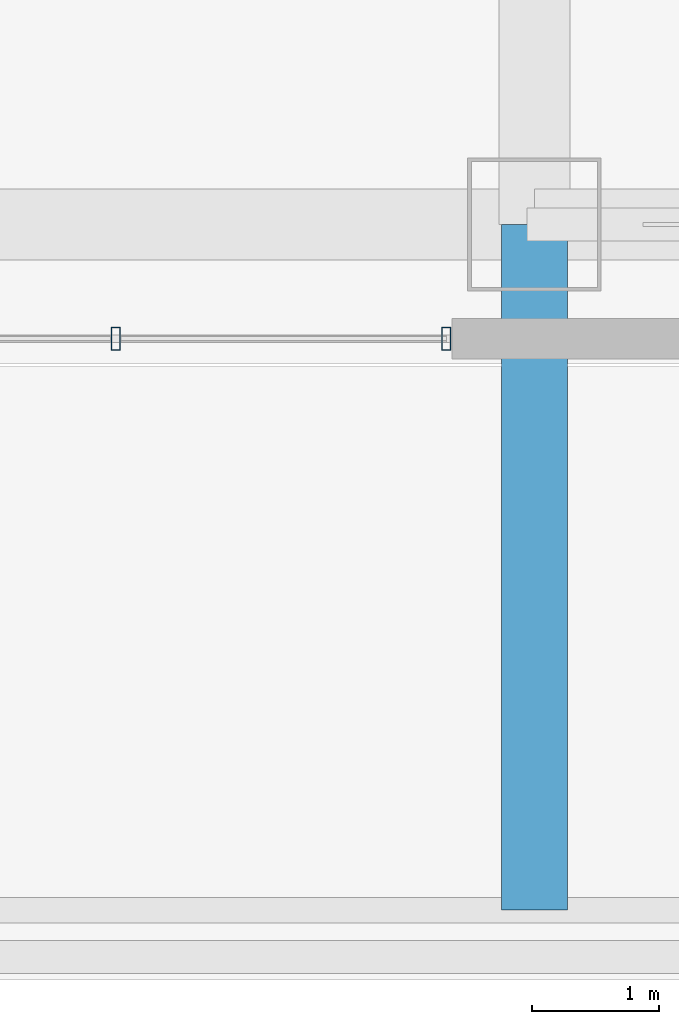
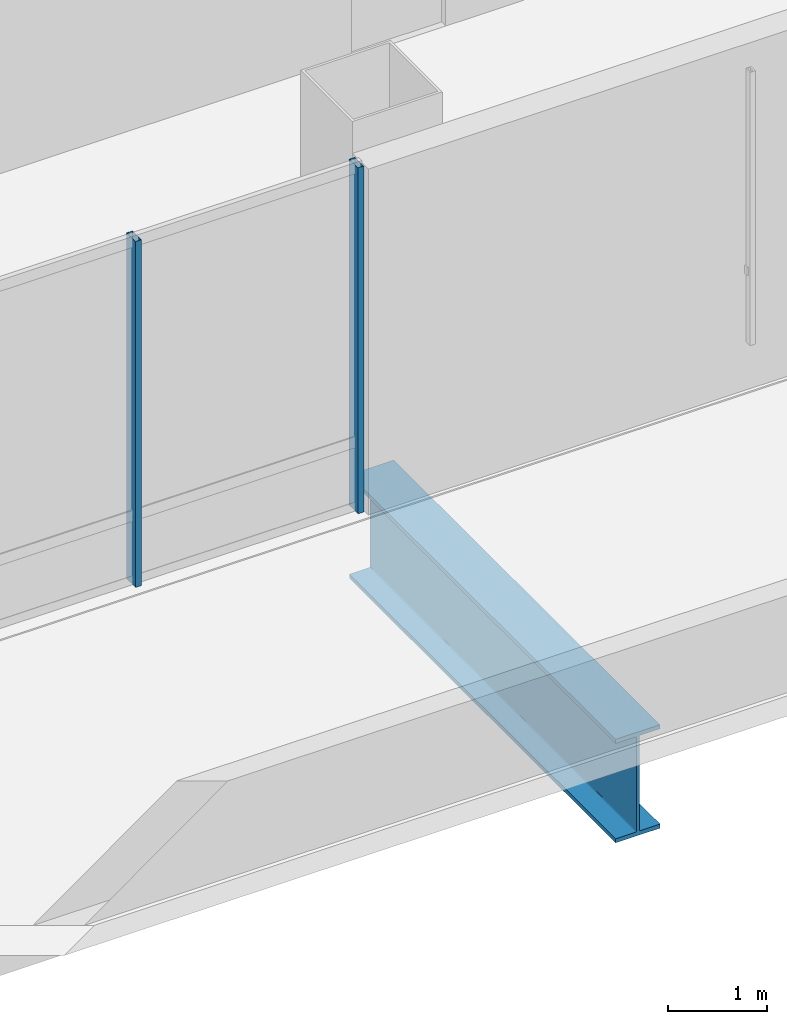
# One storey, part 5 of 33: 2 members, 1 beam, 1 element without a shape of its own.
"""IFC4 building model written with IfcOpenShell, lengths in metres."""

from ifc_helpers import new_model, si_unit, direction, frame, origin, origin_2d, place, context, subcontext, project, spatial, hollow_rectangle, i_section, extrude, material, material_profile, profile_set, type_object, element, aggregate, save


model = new_model("IFC4")

# Units and contexts
model_context = context("Model", 3, precision=1e-05, world=origin(), true_north=direction((0.0, 1.0)))
body_context = subcontext(model_context, "Body", "Model", "MODEL_VIEW")
ifc_project = project(units=[si_unit("LENGTHUNIT", "METRE"), si_unit("AREAUNIT", "SQUARE_METRE"), si_unit("VOLUMEUNIT", "CUBIC_METRE"), si_unit("PLANEANGLEUNIT", "RADIAN"), si_unit("MASSUNIT", "GRAM", prefix="KILO")], contexts=[model_context])

# Site, building, storey
site_placement = place(None, origin())
site = spatial("IfcSite", under=ifc_project, at=site_placement, CompositionType="ELEMENT")
building_placement = place(site_placement, origin())
building = spatial("IfcBuilding", under=site, at=building_placement, Name="Punatoya Terracotta Tower", CompositionType="ELEMENT")
storey_placement = place(building_placement, frame((0.0, 0.0, 343.800048828125)))
storey = spatial("IfcBuildingStorey", under=building, at=storey_placement, Name="L81", CompositionType="ELEMENT", Elevation=343.800048828125)

# Beam
ifc_material_1 = material(Name="Steel S460", Category="steel")
ifc_material_profile_1 = material_profile(ifc_material_1, i_section(OverallWidth=0.52001953125, OverallDepth=1.280029296875, WebThickness=0.031982421875, FlangeThickness=0.050048828125, FilletRadius=0.01806640625, at=origin_2d()))
ifc_profile_set_1 = profile_set([ifc_material_profile_1], Name="Steel S460")
beam_type = type_object("IfcBeamType", Name="BM-TG-NCK", PredefinedType="BEAM", material=ifc_profile_set_1)
beam_placement = place(storey_placement, frame((-3.800048828125, -22.89990234375, -0.920166015625), z_axis=(0.0, 1.0, 0.0), x_axis=(-1.0, 0.0, 0.0)))
element("IfcBeam", 1, at=beam_placement, inside=storey, type_object=beam_type, Name="BM-L81-CS1", PredefinedType="BEAM", context=body_context, shape_type="SweptSolid", body=[
    extrude(i_section(OverallWidth=0.52001953125, OverallDepth=1.280029296875, WebThickness=0.031982421875, FlangeThickness=0.050048828125, FilletRadius=0.01806640625, at=origin_2d()), origin(), (0.0, 0.0, 1.0), 5.39990234375),
])

# Curtain wall, members
ifc_material_2 = material(Name="Aluminium 6063-T6 + Double Low-E Glass", Category="aluminium")
curtain_wall_type = type_object("IfcCurtainWallType", Name="CW-CRN", PredefinedType="NOTDEFINED", material=ifc_material_2)
curtain_wall_placement = place(storey_placement, origin())
curtain_wall = element("IfcCurtainWall", 2, at=curtain_wall_placement, inside=storey, type_object=curtain_wall_type, Name="L81 Curtain Wall CW-L81-S01-1", PredefinedType="NOTDEFINED")
ifc_material_3 = material(Name="Aluminium 6063-T6", Category="aluminium")
ifc_material_profile_2 = material_profile(ifc_material_3, hollow_rectangle(XDim=0.070068359375, YDim=0.179931640625, WallThickness=0.00390625, at=origin_2d()))
ifc_profile_set_2 = profile_set([ifc_material_profile_2], Name="Aluminium 6063-T6")
member_type = type_object("IfcMemberType", Name="CW-MUL-M3", PredefinedType="MULLION", material=ifc_profile_set_2)
member_1_placement = place(storey_placement, frame((-7.097412109375, -18.39990234375, 0.0), z_axis=(0.0, 0.0, 1.0), x_axis=(1.0, 0.0, 0.0)))
member_1 = element("IfcMember", 3, at=member_1_placement, type_object=member_type, Name="CW-L81-S01-1 Mullion 04", PredefinedType="MULLION", context=body_context, shape_type="SweptSolid", body=[
    extrude(hollow_rectangle(XDim=0.070068359375, YDim=0.179931640625, WallThickness=0.00390625, at=origin_2d()), origin(), (0.0, 0.0, 1.0), 4.280029296875),
])
member_2_placement = place(storey_placement, frame((-4.4951171875, -18.39990234375, 0.0), z_axis=(0.0, 0.0, 1.0), x_axis=(1.0, 0.0, 0.0)))
member_2 = element("IfcMember", 4, at=member_2_placement, type_object=member_type, Name="CW-L81-S01-1 Mullion 05", PredefinedType="MULLION", context=body_context, shape_type="SweptSolid", body=[
    extrude(hollow_rectangle(XDim=0.070068359375, YDim=0.179931640625, WallThickness=0.00390625, at=origin_2d()), origin(), (0.0, 0.0, 1.0), 4.280029296875),
])
aggregate(curtain_wall, [member_1, member_2])

save(model, "model.ifc")
